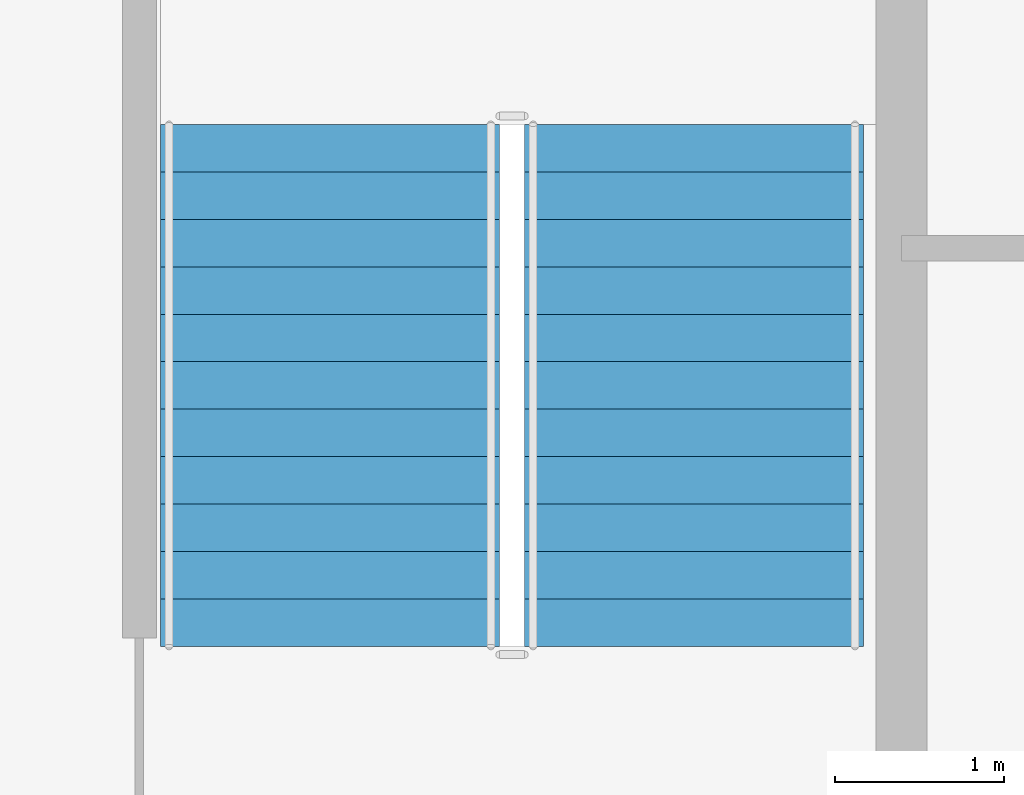
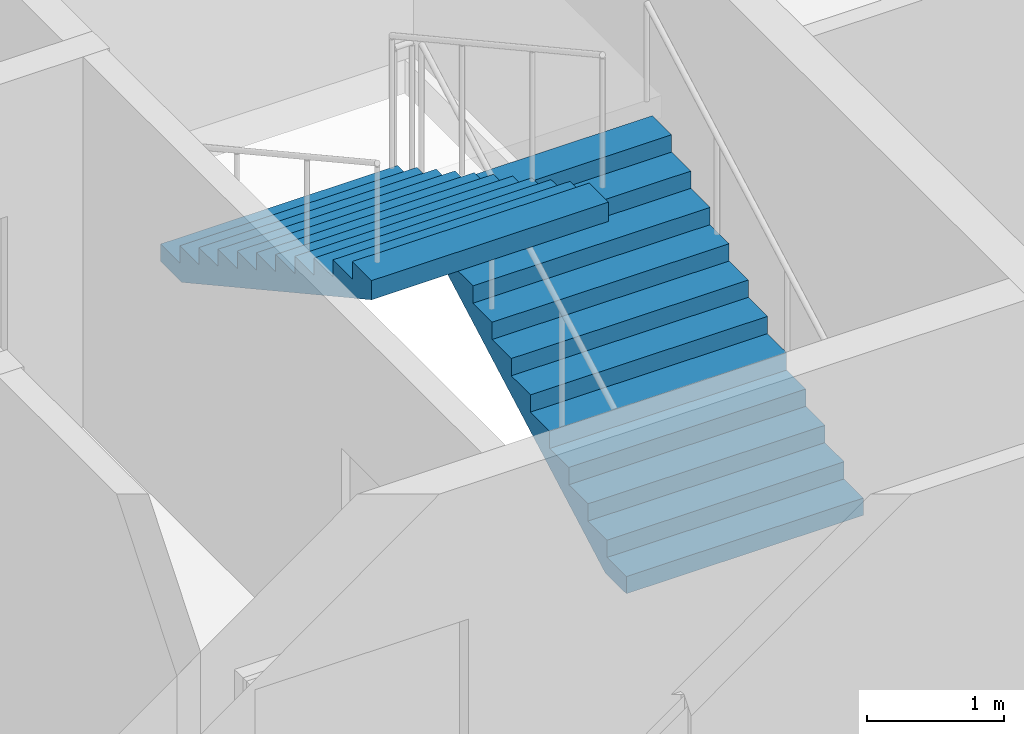
# One storey, part 11 of 14: 2 stair flights, 1 element without a shape of its own.
"""IFC4 building model written with IfcOpenShell, lengths in metres."""

import ifcopenshell
import ifcopenshell.guid

model = None  # the IFC model being written
_history = None  # IfcOwnerHistory: only IFC2X3 demands one
_inside = {}  # id of a spatial element -> (the spatial element, [elements in it])
_under = {}  # id of a project, library or spatial element -> (it, [spatial elements below it])
_declared = {}  # id of a project -> (the project, [libraries it declares])
_typed = {}  # id of a type object -> (the type object, [elements of that type])
_made_of = {}  # id of a material, layer set ... -> (it, [elements and type objects made of it])


def new_model(schema):
    """Start an empty IFC model of exactly this schema.

    Asked for "IFC4X3", IfcOpenShell would pick the latest addendum, in which some entities
    have other attributes; the version numbers below select the first issue.
    IFC2X3 requires an IfcOwnerHistory on every rooted entity: one is made here for all.
    """
    global model, _history
    if schema == "IFC4X3":
        model = ifcopenshell.file(schema_version=(4, 3, 0, 0))
    else:
        model = ifcopenshell.file(schema=schema)
    _inside.clear()
    _under.clear()
    _declared.clear()
    _typed.clear()
    _made_of.clear()
    _history = None
    if model.schema == "IFC2X3":
        org = make("IfcOrganization", Name="unknown")
        user = make(
            "IfcPersonAndOrganization",
            ThePerson=make("IfcPerson", FamilyName="unknown"),
            TheOrganization=org,
        )
        app = make(
            "IfcApplication",
            ApplicationDeveloper=org,
            Version="unknown",
            ApplicationFullName="unknown",
            ApplicationIdentifier="unknown",
        )
        _history = make(
            "IfcOwnerHistory",
            OwningUser=user,
            OwningApplication=app,
            ChangeAction="ADDED",
            CreationDate=0,
        )
    return model


def make(cls, **values):
    """One entity of the class cls with the attributes given. An attribute that is None is left unset."""
    return model.create_entity(
        cls, **{name: value for name, value in values.items() if value is not None}
    )


def rooted(cls, **values):
    """An entity with a GlobalId (a new one), such as an element, a storey or a relation."""
    return make(cls, GlobalId=ifcopenshell.guid.new(), OwnerHistory=_history, **values)


def si_unit(unit_type, name, prefix=None):
    """IfcSIUnit, for example si_unit("LENGTHUNIT", "METRE", prefix="MILLI")."""
    return make("IfcSIUnit", UnitType=unit_type, Prefix=prefix, Name=name)


def assignment(units):
    """IfcUnitAssignment: the units of a project."""
    return None if units is None else make("IfcUnitAssignment", Units=units)


def point(xyz):
    """IfcCartesianPoint."""
    return None if xyz is None else make("IfcCartesianPoint", Coordinates=xyz)


def direction(xyz):
    """IfcDirection."""
    return None if xyz is None else make("IfcDirection", DirectionRatios=xyz)


def frame(location, z_axis=None, x_axis=None):
    """IfcAxis2Placement3D, a coordinate frame: its origin and axes. An axis left out is left unset."""
    return make(
        "IfcAxis2Placement3D",
        Location=point(location),
        Axis=direction(z_axis),
        RefDirection=direction(x_axis),
    )


def origin():
    """The frame at (0, 0, 0) with its axes left unset."""
    return frame((0.0, 0.0, 0.0))


def place(relative_to, where):
    """IfcLocalPlacement: puts the frame where relative to a parent placement (None: the world)."""
    return make(
        "IfcLocalPlacement", PlacementRelTo=relative_to, RelativePlacement=where
    )


def context(
    kind, dimensions, precision=None, world=None, true_north=None, identifier=None
):
    """IfcGeometricRepresentationContext, for example the 3D "Model" context."""
    return make(
        "IfcGeometricRepresentationContext",
        ContextIdentifier=identifier,
        ContextType=kind,
        CoordinateSpaceDimension=dimensions,
        Precision=precision,
        WorldCoordinateSystem=world,
        TrueNorth=true_north,
    )


def subcontext(parent, identifier, kind, view, scale=None):
    """IfcGeometricRepresentationSubContext, for example "Body" below "Model"."""
    return make(
        "IfcGeometricRepresentationSubContext",
        ContextIdentifier=identifier,
        ContextType=kind,
        ParentContext=parent,
        TargetScale=scale,
        TargetView=view,
    )


def project(units=None, contexts=None):
    """IfcProject with its units and contexts."""
    return rooted(
        "IfcProject",
        Name="project",
        RepresentationContexts=contexts,
        UnitsInContext=assignment(units),
    )


def spatial(cls, under=None, at=None, **own):
    """A site, building, storey or space (cls), placed at a placement, below another one or the project."""
    s = rooted(cls, ObjectPlacement=at, **own)
    if under is not None:
        _under.setdefault(under.id(), (under, []))[1].append(s)
    return s


def point_list(points):
    """IfcCartesianPointList2D or 3D."""
    cls = (
        "IfcCartesianPointList2D" if len(points[0]) == 2 else "IfcCartesianPointList3D"
    )
    return make(cls, CoordList=points)


def polygons(points, faces, closed=None, point_numbers=None):
    """IfcPolygonalFaceSet: a face is its outer loop, then its inner loops; points numbered from 1."""
    made = []
    for loops in faces:
        if len(loops) == 1:
            made.append(make("IfcIndexedPolygonalFace", CoordIndex=loops[0]))
        else:
            made.append(
                make(
                    "IfcIndexedPolygonalFaceWithVoids",
                    CoordIndex=loops[0],
                    InnerCoordIndices=loops[1:],
                )
            )
    return make(
        "IfcPolygonalFaceSet",
        Coordinates=point_list(points),
        Closed=closed,
        Faces=made,
        PnIndex=point_numbers,
    )


def shape(context_of_items, identifier, shape_type, items):
    """IfcShapeRepresentation: the items that make up one representation, for example the "Body"."""
    return make(
        "IfcShapeRepresentation",
        ContextOfItems=context_of_items,
        RepresentationIdentifier=identifier,
        RepresentationType=shape_type,
        Items=items,
    )


def material(Name=None, Category=None):
    """IfcMaterial."""
    return make("IfcMaterial", Name=Name, Category=Category)


def made_of(thing, what):
    """Note that an element or type object is made of a material, layer set ...; save() writes the relation."""
    if what is not None:
        _made_of.setdefault(what.id(), (what, []))[1].append(thing)
    return thing


def type_object(cls, material=None, **own):
    """A type object (cls), such as IfcWallType, which elements share."""
    return made_of(rooted(cls, **own), material)


def element(
    cls,
    number,
    at=None,
    inside=None,
    cuts=None,
    type_object=None,
    material=None,
    context=None,
    identifier="Body",
    shape_type=None,
    held_by="IfcProductDefinitionShape",
    body=None,
    shapes=None,
    **own,
):
    """One element of the class cls, such as IfcWall. Its Tag is "e" and its number.

    at: its placement. inside: the storey or other place that contains it. cuts: it is an
    opening in that element (IfcRelVoidsElement). A single representation is given by context,
    identifier, shape_type and body (its items); several are given by shapes. held_by: the class
    of the entity that holds the representations. save() writes the other relations.
    """
    e = rooted(cls, Tag="e%d" % number, ObjectPlacement=at, **own)
    if body is not None:
        shapes = [shape(context, identifier, shape_type, body)]
    if shapes is not None:
        e.Representation = make(held_by, Representations=shapes)
    if inside is not None:
        _inside.setdefault(inside.id(), (inside, []))[1].append(e)
    if cuts is not None:
        rooted(
            "IfcRelVoidsElement", RelatingBuildingElement=cuts, RelatedOpeningElement=e
        )
    if type_object is not None:
        _typed.setdefault(type_object.id(), (type_object, []))[1].append(e)
    return made_of(e, material)


def aggregate(whole, parts):
    """IfcRelAggregates: a whole, such as a stair, and the parts it consists of."""
    return rooted("IfcRelAggregates", RelatingObject=whole, RelatedObjects=parts)


def save(model, path):
    """Write the relations noted so far, then the file.

    IfcRelAggregates (storeys below a building ...), IfcRelContainedInSpatialStructure (elements
    in a storey), IfcRelDefinesByType, IfcRelAssociatesMaterial and IfcRelDeclares: one each for
    every whole, place, type object, material and project.
    """
    for whole, parts in _under.values():
        aggregate(whole, parts)
    for where, things in _inside.values():
        rooted(
            "IfcRelContainedInSpatialStructure",
            RelatedElements=things,
            RelatingStructure=where,
        )
    for kind, things in _typed.values():
        rooted("IfcRelDefinesByType", RelatedObjects=things, RelatingType=kind)
    for what, things in _made_of.values():
        rooted("IfcRelAssociatesMaterial", RelatedObjects=things, RelatingMaterial=what)
    for by, libraries in _declared.values():
        rooted("IfcRelDeclares", RelatingContext=by, RelatedDefinitions=libraries)
    model.write(path)


model = new_model("IFC4")

# Units and contexts
model_context = context("Model", 3, precision=1e-05, world=origin(), true_north=direction((0.0, 1.0)))
body_context = subcontext(model_context, "Body", "Model", "MODEL_VIEW")
ifc_project = project(units=[si_unit("LENGTHUNIT", "METRE"), si_unit("AREAUNIT", "SQUARE_METRE"), si_unit("VOLUMEUNIT", "CUBIC_METRE"), si_unit("PLANEANGLEUNIT", "RADIAN"), si_unit("MASSUNIT", "GRAM", prefix="KILO")], contexts=[model_context])

# Site, building, storey
site_placement = place(None, origin())
site = spatial("IfcSite", under=ifc_project, at=site_placement, CompositionType="ELEMENT")
building_placement = place(site_placement, origin())
building = spatial("IfcBuilding", under=site, at=building_placement, Name="Caravel Reach Hotel and Residences", CompositionType="ELEMENT")
storey_placement = place(building_placement, frame((0.0, 0.0, 183.89990234375)))
storey = spatial("IfcBuildingStorey", under=building, at=storey_placement, Name="L46", CompositionType="ELEMENT", Elevation=183.89990234375)

# Stair, stair flights
ifc_material_1 = material(Name="Concrete C40", Category="concrete")
stair_type = type_object("IfcStairType", Name="Core stair", PredefinedType="HALF_TURN_STAIR", material=ifc_material_1)
stair_placement = place(storey_placement, origin())
stair = element("IfcStair", 1, at=stair_placement, inside=storey, type_object=stair_type, Name="L46 Exit stair B", PredefinedType="HALF_TURN_STAIR")
ifc_material_2 = material(Name="Concrete C40", Category="concrete")
stair_flight_type = type_object("IfcStairFlightType", Name="Core stair flight", PredefinedType="STRAIGHT", material=ifc_material_2)
stair_flight_1_placement = place(storey_placement, frame((43.77490234375, 24.64990234375, 0.0), z_axis=(0.0, 0.0, 1.0), x_axis=(0.0, 1.0, 0.0)))
stair_flight_1 = element("IfcStairFlight", 2, at=stair_flight_1_placement, type_object=stair_flight_type, Name="ST-B flight 1", NumberOfRisers=12, NumberOfTreads=11, PredefinedType="STRAIGHT", RiserHeight=0.154166667, TreadLength=0.28, context=body_context, shape_type="Tessellation", body=[
    polygons([(0.3107950034306102, 1.0, 0.0), (0.3107950034306102, 0.6666666666666667, 0.0), (0.3107950034306102, 0.33333333333333337, 0.0), (0.3107950034306102, 0.0, 0.0), (0.3107950034306102, -0.33333333333333326, 0.0), (0.3107950034306102, -0.6666666666666667, 0.0), (0.3107950034306102, -1.0, 0.0), (3.081, 1.0, 1.524711087717319), (3.081, 0.6666666666666667, 1.524711087717319), (3.081, 0.33333333333333337, 1.524711087717319), (3.081, 0.0, 1.524711087717319), (3.081, -0.33333333333333326, 1.524711087717319), (3.081, -0.6666666666666667, 1.524711087717319), (3.081, -1.0, 1.524711087717319), (3.081, 1.0, 1.695833337), (3.081, 0.6666666666666667, 1.695833337), (3.081, 0.33333333333333337, 1.695833337), (3.081, 0.0, 1.695833337), (3.081, -0.33333333333333326, 1.695833337), (3.081, -0.6666666666666667, 1.695833337), (3.081, -1.0, 1.695833337), (2.8000000000000003, 1.0, 1.695833337), (2.8000000000000003, 0.6666666666666667, 1.695833337), (2.8000000000000003, 0.33333333333333337, 1.695833337), (2.8000000000000003, 0.0, 1.695833337), (2.8000000000000003, -0.33333333333333326, 1.695833337), (2.8000000000000003, -0.6666666666666667, 1.695833337), (2.8000000000000003, -1.0, 1.695833337), (2.8000000000000003, 1.0, 1.5416666700000001), (2.8000000000000003, 0.6666666666666667, 1.5416666700000001), (2.8000000000000003, 0.33333333333333337, 1.5416666700000001), (2.8000000000000003, 0.0, 1.5416666700000001), (2.8000000000000003, -0.33333333333333326, 1.5416666700000001), (2.8000000000000003, -0.6666666666666667, 1.5416666700000001), (2.8000000000000003, -1.0, 1.5416666700000001), (2.5200000000000005, 1.0, 1.5416666700000001), (2.5200000000000005, 0.6666666666666667, 1.5416666700000001), (2.5200000000000005, 0.33333333333333337, 1.5416666700000001), (2.5200000000000005, 0.0, 1.5416666700000001), (2.5200000000000005, -0.33333333333333326, 1.5416666700000001), (2.5200000000000005, -0.6666666666666667, 1.5416666700000001), (2.5200000000000005, -1.0, 1.5416666700000001), (2.5200000000000005, 1.0, 1.387500003), (2.5200000000000005, 0.6666666666666667, 1.387500003), (2.5200000000000005, 0.33333333333333337, 1.387500003), (2.5200000000000005, 0.0, 1.387500003), (2.5200000000000005, -0.33333333333333326, 1.387500003), (2.5200000000000005, -0.6666666666666667, 1.387500003), (2.5200000000000005, -1.0, 1.387500003), (2.24, 1.0, 1.387500003), (2.24, 0.6666666666666667, 1.387500003), (2.24, 0.33333333333333337, 1.387500003), (2.24, 0.0, 1.387500003), (2.24, -0.33333333333333326, 1.387500003), (2.24, -0.6666666666666667, 1.387500003), (2.24, -1.0, 1.387500003), (2.24, 1.0, 1.233333336), (2.24, 0.6666666666666667, 1.233333336), (2.24, 0.33333333333333337, 1.233333336), (2.24, 0.0, 1.233333336), (2.24, -0.33333333333333326, 1.233333336), (2.24, -0.6666666666666667, 1.233333336), (2.24, -1.0, 1.233333336), (1.9600000000000002, 1.0, 1.233333336), (1.9600000000000002, 0.6666666666666667, 1.233333336), (1.9600000000000002, 0.33333333333333337, 1.233333336), (1.9600000000000002, 0.0, 1.233333336), (1.9600000000000002, -0.33333333333333326, 1.233333336), (1.9600000000000002, -0.6666666666666667, 1.233333336), (1.9600000000000002, -1.0, 1.233333336), (1.9600000000000002, 1.0, 1.0791666690000001), (1.9600000000000002, 0.6666666666666667, 1.0791666690000001), (1.9600000000000002, 0.33333333333333337, 1.0791666690000001), (1.9600000000000002, 0.0, 1.0791666690000001), (1.9600000000000002, -0.33333333333333326, 1.0791666690000001), (1.9600000000000002, -0.6666666666666667, 1.0791666690000001), (1.9600000000000002, -1.0, 1.0791666690000001), (1.6800000000000002, 1.0, 1.0791666690000001), (1.6800000000000002, 0.6666666666666667, 1.0791666690000001), (1.6800000000000002, 0.33333333333333337, 1.0791666690000001), (1.6800000000000002, 0.0, 1.0791666690000001), (1.6800000000000002, -0.33333333333333326, 1.0791666690000001), (1.6800000000000002, -0.6666666666666667, 1.0791666690000001), (1.6800000000000002, -1.0, 1.0791666690000001), (1.6800000000000002, 1.0, 0.925000002), (1.6800000000000002, 0.6666666666666667, 0.925000002), (1.6800000000000002, 0.33333333333333337, 0.925000002), (1.6800000000000002, 0.0, 0.925000002), (1.6800000000000002, -0.33333333333333326, 0.925000002), (1.6800000000000002, -0.6666666666666667, 0.925000002), (1.6800000000000002, -1.0, 0.925000002), (1.4000000000000001, 1.0, 0.925000002), (1.4000000000000001, 0.6666666666666667, 0.925000002), (1.4000000000000001, 0.33333333333333337, 0.925000002), (1.4000000000000001, 0.0, 0.925000002), (1.4000000000000001, -0.33333333333333326, 0.925000002), (1.4000000000000001, -0.6666666666666667, 0.925000002), (1.4000000000000001, -1.0, 0.925000002), (1.4000000000000001, 1.0, 0.7708333350000001), (1.4000000000000001, 0.6666666666666667, 0.7708333350000001), (1.4000000000000001, 0.33333333333333337, 0.7708333350000001), (1.4000000000000001, 0.0, 0.7708333350000001), (1.4000000000000001, -0.33333333333333326, 0.7708333350000001), (1.4000000000000001, -0.6666666666666667, 0.7708333350000001), (1.4000000000000001, -1.0, 0.7708333350000001), (1.12, 1.0, 0.7708333350000001), (1.12, 0.6666666666666667, 0.7708333350000001), (1.12, 0.33333333333333337, 0.7708333350000001), (1.12, 0.0, 0.7708333350000001), (1.12, -0.33333333333333326, 0.7708333350000001), (1.12, -0.6666666666666667, 0.7708333350000001), (1.12, -1.0, 0.7708333350000001), (1.12, 1.0, 0.616666668), (1.12, 0.6666666666666667, 0.616666668), (1.12, 0.33333333333333337, 0.616666668), (1.12, 0.0, 0.616666668), (1.12, -0.33333333333333326, 0.616666668), (1.12, -0.6666666666666667, 0.616666668), (1.12, -1.0, 0.616666668), (0.8400000000000001, 1.0, 0.616666668), (0.8400000000000001, 0.6666666666666667, 0.616666668), (0.8400000000000001, 0.33333333333333337, 0.616666668), (0.8400000000000001, 0.0, 0.616666668), (0.8400000000000001, -0.33333333333333326, 0.616666668), (0.8400000000000001, -0.6666666666666667, 0.616666668), (0.8400000000000001, -1.0, 0.616666668), (0.8400000000000001, 1.0, 0.462500001), (0.8400000000000001, 0.6666666666666667, 0.462500001), (0.8400000000000001, 0.33333333333333337, 0.462500001), (0.8400000000000001, 0.0, 0.462500001), (0.8400000000000001, -0.33333333333333326, 0.462500001), (0.8400000000000001, -0.6666666666666667, 0.462500001), (0.8400000000000001, -1.0, 0.462500001), (0.56, 1.0, 0.462500001), (0.56, 0.6666666666666667, 0.462500001), (0.56, 0.33333333333333337, 0.462500001), (0.56, 0.0, 0.462500001), (0.56, -0.33333333333333326, 0.462500001), (0.56, -0.6666666666666667, 0.462500001), (0.56, -1.0, 0.462500001), (0.56, 1.0, 0.308333334), (0.56, 0.6666666666666667, 0.308333334), (0.56, 0.33333333333333337, 0.308333334), (0.56, 0.0, 0.308333334), (0.56, -0.33333333333333326, 0.308333334), (0.56, -0.6666666666666667, 0.308333334), (0.56, -1.0, 0.308333334), (0.28, 1.0, 0.308333334), (0.28, 0.6666666666666667, 0.308333334), (0.28, 0.33333333333333337, 0.308333334), (0.28, 0.0, 0.308333334), (0.28, -0.33333333333333326, 0.308333334), (0.28, -0.6666666666666667, 0.308333334), (0.28, -1.0, 0.308333334), (0.28, 1.0, 0.154166667), (0.28, 0.6666666666666667, 0.154166667), (0.28, 0.33333333333333337, 0.154166667), (0.28, 0.0, 0.154166667), (0.28, -0.33333333333333326, 0.154166667), (0.28, -0.6666666666666667, 0.154166667), (0.28, -1.0, 0.154166667), (-0.001, 1.0, 0.154166667), (-0.001, 0.6666666666666667, 0.154166667), (-0.001, 0.33333333333333337, 0.154166667), (-0.001, 0.0, 0.154166667), (-0.001, -0.33333333333333326, 0.154166667), (-0.001, -0.6666666666666667, 0.154166667), (-0.001, -1.0, 0.154166667), (-0.001, 1.0, 0.0), (-0.001, 0.6666666666666667, 0.0), (-0.001, 0.33333333333333337, 0.0), (-0.001, 0.0, 0.0), (-0.001, -0.33333333333333326, 0.0), (-0.001, -0.6666666666666667, 0.0), (-0.001, -1.0, 0.0)], [[[169, 162, 155, 148, 141, 134, 127, 120, 113, 106, 99, 92, 85, 78, 71, 64, 57, 50, 43, 36, 29, 22, 15, 8, 1]], [[7, 14, 21, 28, 35, 42, 49, 56, 63, 70, 77, 84, 91, 98, 105, 112, 119, 126, 133, 140, 147, 154, 161, 168, 175]], [[1, 8, 9, 2]], [[2, 9, 10, 3]], [[3, 10, 11, 4]], [[4, 11, 12, 5]], [[5, 12, 13, 6]], [[6, 13, 14, 7]], [[8, 15, 16, 9]], [[9, 16, 17, 10]], [[10, 17, 18, 11]], [[11, 18, 19, 12]], [[12, 19, 20, 13]], [[13, 20, 21, 14]], [[15, 22, 23, 16]], [[16, 23, 24, 17]], [[17, 24, 25, 18]], [[18, 25, 26, 19]], [[19, 26, 27, 20]], [[20, 27, 28, 21]], [[22, 29, 30, 23]], [[23, 30, 31, 24]], [[24, 31, 32, 25]], [[25, 32, 33, 26]], [[26, 33, 34, 27]], [[27, 34, 35, 28]], [[29, 36, 37, 30]], [[30, 37, 38, 31]], [[31, 38, 39, 32]], [[32, 39, 40, 33]], [[33, 40, 41, 34]], [[34, 41, 42, 35]], [[36, 43, 44, 37]], [[37, 44, 45, 38]], [[38, 45, 46, 39]], [[39, 46, 47, 40]], [[40, 47, 48, 41]], [[41, 48, 49, 42]], [[43, 50, 51, 44]], [[44, 51, 52, 45]], [[45, 52, 53, 46]], [[46, 53, 54, 47]], [[47, 54, 55, 48]], [[48, 55, 56, 49]], [[50, 57, 58, 51]], [[51, 58, 59, 52]], [[52, 59, 60, 53]], [[53, 60, 61, 54]], [[54, 61, 62, 55]], [[55, 62, 63, 56]], [[57, 64, 65, 58]], [[58, 65, 66, 59]], [[59, 66, 67, 60]], [[60, 67, 68, 61]], [[61, 68, 69, 62]], [[62, 69, 70, 63]], [[64, 71, 72, 65]], [[65, 72, 73, 66]], [[66, 73, 74, 67]], [[67, 74, 75, 68]], [[68, 75, 76, 69]], [[69, 76, 77, 70]], [[71, 78, 79, 72]], [[72, 79, 80, 73]], [[73, 80, 81, 74]], [[74, 81, 82, 75]], [[75, 82, 83, 76]], [[76, 83, 84, 77]], [[78, 85, 86, 79]], [[79, 86, 87, 80]], [[80, 87, 88, 81]], [[81, 88, 89, 82]], [[82, 89, 90, 83]], [[83, 90, 91, 84]], [[85, 92, 93, 86]], [[86, 93, 94, 87]], [[87, 94, 95, 88]], [[88, 95, 96, 89]], [[89, 96, 97, 90]], [[90, 97, 98, 91]], [[92, 99, 100, 93]], [[93, 100, 101, 94]], [[94, 101, 102, 95]], [[95, 102, 103, 96]], [[96, 103, 104, 97]], [[97, 104, 105, 98]], [[99, 106, 107, 100]], [[100, 107, 108, 101]], [[101, 108, 109, 102]], [[102, 109, 110, 103]], [[103, 110, 111, 104]], [[104, 111, 112, 105]], [[106, 113, 114, 107]], [[107, 114, 115, 108]], [[108, 115, 116, 109]], [[109, 116, 117, 110]], [[110, 117, 118, 111]], [[111, 118, 119, 112]], [[113, 120, 121, 114]], [[114, 121, 122, 115]], [[115, 122, 123, 116]], [[116, 123, 124, 117]], [[117, 124, 125, 118]], [[118, 125, 126, 119]], [[120, 127, 128, 121]], [[121, 128, 129, 122]], [[122, 129, 130, 123]], [[123, 130, 131, 124]], [[124, 131, 132, 125]], [[125, 132, 133, 126]], [[127, 134, 135, 128]], [[128, 135, 136, 129]], [[129, 136, 137, 130]], [[130, 137, 138, 131]], [[131, 138, 139, 132]], [[132, 139, 140, 133]], [[134, 141, 142, 135]], [[135, 142, 143, 136]], [[136, 143, 144, 137]], [[137, 144, 145, 138]], [[138, 145, 146, 139]], [[139, 146, 147, 140]], [[141, 148, 149, 142]], [[142, 149, 150, 143]], [[143, 150, 151, 144]], [[144, 151, 152, 145]], [[145, 152, 153, 146]], [[146, 153, 154, 147]], [[148, 155, 156, 149]], [[149, 156, 157, 150]], [[150, 157, 158, 151]], [[151, 158, 159, 152]], [[152, 159, 160, 153]], [[153, 160, 161, 154]], [[155, 162, 163, 156]], [[156, 163, 164, 157]], [[157, 164, 165, 158]], [[158, 165, 166, 159]], [[159, 166, 167, 160]], [[160, 167, 168, 161]], [[162, 169, 170, 163]], [[163, 170, 171, 164]], [[164, 171, 172, 165]], [[165, 172, 173, 166]], [[166, 173, 174, 167]], [[167, 174, 175, 168]], [[169, 1, 2, 170]], [[170, 2, 3, 171]], [[171, 3, 4, 172]], [[172, 4, 5, 173]], [[173, 5, 6, 174]], [[174, 6, 7, 175]]], closed=True),
])
stair_flight_2_placement = place(storey_placement, frame((41.625, 27.72998046875, 1.85009765625), z_axis=(0.0, 0.0, 1.0), x_axis=(0.0, -1.0, 0.0)))
stair_flight_2 = element("IfcStairFlight", 3, at=stair_flight_2_placement, type_object=stair_flight_type, Name="ST-B flight 2", NumberOfRisers=12, NumberOfTreads=11, PredefinedType="STRAIGHT", RiserHeight=0.154166667, TreadLength=0.28, context=body_context, shape_type="Tessellation", body=[
    polygons([(0.3107950034306102, 1.0, 0.0), (0.3107950034306102, 0.6666666666666667, 0.0), (0.3107950034306102, 0.33333333333333337, 0.0), (0.3107950034306102, 0.0, 0.0), (0.3107950034306102, -0.33333333333333326, 0.0), (0.3107950034306102, -0.6666666666666667, 0.0), (0.3107950034306102, -1.0, 0.0), (3.081, 1.0, 1.524711087717319), (3.081, 0.6666666666666667, 1.524711087717319), (3.081, 0.33333333333333337, 1.524711087717319), (3.081, 0.0, 1.524711087717319), (3.081, -0.33333333333333326, 1.524711087717319), (3.081, -0.6666666666666667, 1.524711087717319), (3.081, -1.0, 1.524711087717319), (3.081, 1.0, 1.695833337), (3.081, 0.6666666666666667, 1.695833337), (3.081, 0.33333333333333337, 1.695833337), (3.081, 0.0, 1.695833337), (3.081, -0.33333333333333326, 1.695833337), (3.081, -0.6666666666666667, 1.695833337), (3.081, -1.0, 1.695833337), (2.8000000000000003, 1.0, 1.695833337), (2.8000000000000003, 0.6666666666666667, 1.695833337), (2.8000000000000003, 0.33333333333333337, 1.695833337), (2.8000000000000003, 0.0, 1.695833337), (2.8000000000000003, -0.33333333333333326, 1.695833337), (2.8000000000000003, -0.6666666666666667, 1.695833337), (2.8000000000000003, -1.0, 1.695833337), (2.8000000000000003, 1.0, 1.5416666700000001), (2.8000000000000003, 0.6666666666666667, 1.5416666700000001), (2.8000000000000003, 0.33333333333333337, 1.5416666700000001), (2.8000000000000003, 0.0, 1.5416666700000001), (2.8000000000000003, -0.33333333333333326, 1.5416666700000001), (2.8000000000000003, -0.6666666666666667, 1.5416666700000001), (2.8000000000000003, -1.0, 1.5416666700000001), (2.5200000000000005, 1.0, 1.5416666700000001), (2.5200000000000005, 0.6666666666666667, 1.5416666700000001), (2.5200000000000005, 0.33333333333333337, 1.5416666700000001), (2.5200000000000005, 0.0, 1.5416666700000001), (2.5200000000000005, -0.33333333333333326, 1.5416666700000001), (2.5200000000000005, -0.6666666666666667, 1.5416666700000001), (2.5200000000000005, -1.0, 1.5416666700000001), (2.5200000000000005, 1.0, 1.387500003), (2.5200000000000005, 0.6666666666666667, 1.387500003), (2.5200000000000005, 0.33333333333333337, 1.387500003), (2.5200000000000005, 0.0, 1.387500003), (2.5200000000000005, -0.33333333333333326, 1.387500003), (2.5200000000000005, -0.6666666666666667, 1.387500003), (2.5200000000000005, -1.0, 1.387500003), (2.24, 1.0, 1.387500003), (2.24, 0.6666666666666667, 1.387500003), (2.24, 0.33333333333333337, 1.387500003), (2.24, 0.0, 1.387500003), (2.24, -0.33333333333333326, 1.387500003), (2.24, -0.6666666666666667, 1.387500003), (2.24, -1.0, 1.387500003), (2.24, 1.0, 1.233333336), (2.24, 0.6666666666666667, 1.233333336), (2.24, 0.33333333333333337, 1.233333336), (2.24, 0.0, 1.233333336), (2.24, -0.33333333333333326, 1.233333336), (2.24, -0.6666666666666667, 1.233333336), (2.24, -1.0, 1.233333336), (1.9600000000000002, 1.0, 1.233333336), (1.9600000000000002, 0.6666666666666667, 1.233333336), (1.9600000000000002, 0.33333333333333337, 1.233333336), (1.9600000000000002, 0.0, 1.233333336), (1.9600000000000002, -0.33333333333333326, 1.233333336), (1.9600000000000002, -0.6666666666666667, 1.233333336), (1.9600000000000002, -1.0, 1.233333336), (1.9600000000000002, 1.0, 1.0791666690000001), (1.9600000000000002, 0.6666666666666667, 1.0791666690000001), (1.9600000000000002, 0.33333333333333337, 1.0791666690000001), (1.9600000000000002, 0.0, 1.0791666690000001), (1.9600000000000002, -0.33333333333333326, 1.0791666690000001), (1.9600000000000002, -0.6666666666666667, 1.0791666690000001), (1.9600000000000002, -1.0, 1.0791666690000001), (1.6800000000000002, 1.0, 1.0791666690000001), (1.6800000000000002, 0.6666666666666667, 1.0791666690000001), (1.6800000000000002, 0.33333333333333337, 1.0791666690000001), (1.6800000000000002, 0.0, 1.0791666690000001), (1.6800000000000002, -0.33333333333333326, 1.0791666690000001), (1.6800000000000002, -0.6666666666666667, 1.0791666690000001), (1.6800000000000002, -1.0, 1.0791666690000001), (1.6800000000000002, 1.0, 0.925000002), (1.6800000000000002, 0.6666666666666667, 0.925000002), (1.6800000000000002, 0.33333333333333337, 0.925000002), (1.6800000000000002, 0.0, 0.925000002), (1.6800000000000002, -0.33333333333333326, 0.925000002), (1.6800000000000002, -0.6666666666666667, 0.925000002), (1.6800000000000002, -1.0, 0.925000002), (1.4000000000000001, 1.0, 0.925000002), (1.4000000000000001, 0.6666666666666667, 0.925000002), (1.4000000000000001, 0.33333333333333337, 0.925000002), (1.4000000000000001, 0.0, 0.925000002), (1.4000000000000001, -0.33333333333333326, 0.925000002), (1.4000000000000001, -0.6666666666666667, 0.925000002), (1.4000000000000001, -1.0, 0.925000002), (1.4000000000000001, 1.0, 0.7708333350000001), (1.4000000000000001, 0.6666666666666667, 0.7708333350000001), (1.4000000000000001, 0.33333333333333337, 0.7708333350000001), (1.4000000000000001, 0.0, 0.7708333350000001), (1.4000000000000001, -0.33333333333333326, 0.7708333350000001), (1.4000000000000001, -0.6666666666666667, 0.7708333350000001), (1.4000000000000001, -1.0, 0.7708333350000001), (1.12, 1.0, 0.7708333350000001), (1.12, 0.6666666666666667, 0.7708333350000001), (1.12, 0.33333333333333337, 0.7708333350000001), (1.12, 0.0, 0.7708333350000001), (1.12, -0.33333333333333326, 0.7708333350000001), (1.12, -0.6666666666666667, 0.7708333350000001), (1.12, -1.0, 0.7708333350000001), (1.12, 1.0, 0.616666668), (1.12, 0.6666666666666667, 0.616666668), (1.12, 0.33333333333333337, 0.616666668), (1.12, 0.0, 0.616666668), (1.12, -0.33333333333333326, 0.616666668), (1.12, -0.6666666666666667, 0.616666668), (1.12, -1.0, 0.616666668), (0.8400000000000001, 1.0, 0.616666668), (0.8400000000000001, 0.6666666666666667, 0.616666668), (0.8400000000000001, 0.33333333333333337, 0.616666668), (0.8400000000000001, 0.0, 0.616666668), (0.8400000000000001, -0.33333333333333326, 0.616666668), (0.8400000000000001, -0.6666666666666667, 0.616666668), (0.8400000000000001, -1.0, 0.616666668), (0.8400000000000001, 1.0, 0.462500001), (0.8400000000000001, 0.6666666666666667, 0.462500001), (0.8400000000000001, 0.33333333333333337, 0.462500001), (0.8400000000000001, 0.0, 0.462500001), (0.8400000000000001, -0.33333333333333326, 0.462500001), (0.8400000000000001, -0.6666666666666667, 0.462500001), (0.8400000000000001, -1.0, 0.462500001), (0.56, 1.0, 0.462500001), (0.56, 0.6666666666666667, 0.462500001), (0.56, 0.33333333333333337, 0.462500001), (0.56, 0.0, 0.462500001), (0.56, -0.33333333333333326, 0.462500001), (0.56, -0.6666666666666667, 0.462500001), (0.56, -1.0, 0.462500001), (0.56, 1.0, 0.308333334), (0.56, 0.6666666666666667, 0.308333334), (0.56, 0.33333333333333337, 0.308333334), (0.56, 0.0, 0.308333334), (0.56, -0.33333333333333326, 0.308333334), (0.56, -0.6666666666666667, 0.308333334), (0.56, -1.0, 0.308333334), (0.28, 1.0, 0.308333334), (0.28, 0.6666666666666667, 0.308333334), (0.28, 0.33333333333333337, 0.308333334), (0.28, 0.0, 0.308333334), (0.28, -0.33333333333333326, 0.308333334), (0.28, -0.6666666666666667, 0.308333334), (0.28, -1.0, 0.308333334), (0.28, 1.0, 0.154166667), (0.28, 0.6666666666666667, 0.154166667), (0.28, 0.33333333333333337, 0.154166667), (0.28, 0.0, 0.154166667), (0.28, -0.33333333333333326, 0.154166667), (0.28, -0.6666666666666667, 0.154166667), (0.28, -1.0, 0.154166667), (-0.001, 1.0, 0.154166667), (-0.001, 0.6666666666666667, 0.154166667), (-0.001, 0.33333333333333337, 0.154166667), (-0.001, 0.0, 0.154166667), (-0.001, -0.33333333333333326, 0.154166667), (-0.001, -0.6666666666666667, 0.154166667), (-0.001, -1.0, 0.154166667), (-0.001, 1.0, 0.0), (-0.001, 0.6666666666666667, 0.0), (-0.001, 0.33333333333333337, 0.0), (-0.001, 0.0, 0.0), (-0.001, -0.33333333333333326, 0.0), (-0.001, -0.6666666666666667, 0.0), (-0.001, -1.0, 0.0)], [[[169, 162, 155, 148, 141, 134, 127, 120, 113, 106, 99, 92, 85, 78, 71, 64, 57, 50, 43, 36, 29, 22, 15, 8, 1]], [[7, 14, 21, 28, 35, 42, 49, 56, 63, 70, 77, 84, 91, 98, 105, 112, 119, 126, 133, 140, 147, 154, 161, 168, 175]], [[1, 8, 9, 2]], [[2, 9, 10, 3]], [[3, 10, 11, 4]], [[4, 11, 12, 5]], [[5, 12, 13, 6]], [[6, 13, 14, 7]], [[8, 15, 16, 9]], [[9, 16, 17, 10]], [[10, 17, 18, 11]], [[11, 18, 19, 12]], [[12, 19, 20, 13]], [[13, 20, 21, 14]], [[15, 22, 23, 16]], [[16, 23, 24, 17]], [[17, 24, 25, 18]], [[18, 25, 26, 19]], [[19, 26, 27, 20]], [[20, 27, 28, 21]], [[22, 29, 30, 23]], [[23, 30, 31, 24]], [[24, 31, 32, 25]], [[25, 32, 33, 26]], [[26, 33, 34, 27]], [[27, 34, 35, 28]], [[29, 36, 37, 30]], [[30, 37, 38, 31]], [[31, 38, 39, 32]], [[32, 39, 40, 33]], [[33, 40, 41, 34]], [[34, 41, 42, 35]], [[36, 43, 44, 37]], [[37, 44, 45, 38]], [[38, 45, 46, 39]], [[39, 46, 47, 40]], [[40, 47, 48, 41]], [[41, 48, 49, 42]], [[43, 50, 51, 44]], [[44, 51, 52, 45]], [[45, 52, 53, 46]], [[46, 53, 54, 47]], [[47, 54, 55, 48]], [[48, 55, 56, 49]], [[50, 57, 58, 51]], [[51, 58, 59, 52]], [[52, 59, 60, 53]], [[53, 60, 61, 54]], [[54, 61, 62, 55]], [[55, 62, 63, 56]], [[57, 64, 65, 58]], [[58, 65, 66, 59]], [[59, 66, 67, 60]], [[60, 67, 68, 61]], [[61, 68, 69, 62]], [[62, 69, 70, 63]], [[64, 71, 72, 65]], [[65, 72, 73, 66]], [[66, 73, 74, 67]], [[67, 74, 75, 68]], [[68, 75, 76, 69]], [[69, 76, 77, 70]], [[71, 78, 79, 72]], [[72, 79, 80, 73]], [[73, 80, 81, 74]], [[74, 81, 82, 75]], [[75, 82, 83, 76]], [[76, 83, 84, 77]], [[78, 85, 86, 79]], [[79, 86, 87, 80]], [[80, 87, 88, 81]], [[81, 88, 89, 82]], [[82, 89, 90, 83]], [[83, 90, 91, 84]], [[85, 92, 93, 86]], [[86, 93, 94, 87]], [[87, 94, 95, 88]], [[88, 95, 96, 89]], [[89, 96, 97, 90]], [[90, 97, 98, 91]], [[92, 99, 100, 93]], [[93, 100, 101, 94]], [[94, 101, 102, 95]], [[95, 102, 103, 96]], [[96, 103, 104, 97]], [[97, 104, 105, 98]], [[99, 106, 107, 100]], [[100, 107, 108, 101]], [[101, 108, 109, 102]], [[102, 109, 110, 103]], [[103, 110, 111, 104]], [[104, 111, 112, 105]], [[106, 113, 114, 107]], [[107, 114, 115, 108]], [[108, 115, 116, 109]], [[109, 116, 117, 110]], [[110, 117, 118, 111]], [[111, 118, 119, 112]], [[113, 120, 121, 114]], [[114, 121, 122, 115]], [[115, 122, 123, 116]], [[116, 123, 124, 117]], [[117, 124, 125, 118]], [[118, 125, 126, 119]], [[120, 127, 128, 121]], [[121, 128, 129, 122]], [[122, 129, 130, 123]], [[123, 130, 131, 124]], [[124, 131, 132, 125]], [[125, 132, 133, 126]], [[127, 134, 135, 128]], [[128, 135, 136, 129]], [[129, 136, 137, 130]], [[130, 137, 138, 131]], [[131, 138, 139, 132]], [[132, 139, 140, 133]], [[134, 141, 142, 135]], [[135, 142, 143, 136]], [[136, 143, 144, 137]], [[137, 144, 145, 138]], [[138, 145, 146, 139]], [[139, 146, 147, 140]], [[141, 148, 149, 142]], [[142, 149, 150, 143]], [[143, 150, 151, 144]], [[144, 151, 152, 145]], [[145, 152, 153, 146]], [[146, 153, 154, 147]], [[148, 155, 156, 149]], [[149, 156, 157, 150]], [[150, 157, 158, 151]], [[151, 158, 159, 152]], [[152, 159, 160, 153]], [[153, 160, 161, 154]], [[155, 162, 163, 156]], [[156, 163, 164, 157]], [[157, 164, 165, 158]], [[158, 165, 166, 159]], [[159, 166, 167, 160]], [[160, 167, 168, 161]], [[162, 169, 170, 163]], [[163, 170, 171, 164]], [[164, 171, 172, 165]], [[165, 172, 173, 166]], [[166, 173, 174, 167]], [[167, 174, 175, 168]], [[169, 1, 2, 170]], [[170, 2, 3, 171]], [[171, 3, 4, 172]], [[172, 4, 5, 173]], [[173, 5, 6, 174]], [[174, 6, 7, 175]]], closed=True),
])
aggregate(stair, [stair_flight_1, stair_flight_2])

save(model, "model.ifc")
